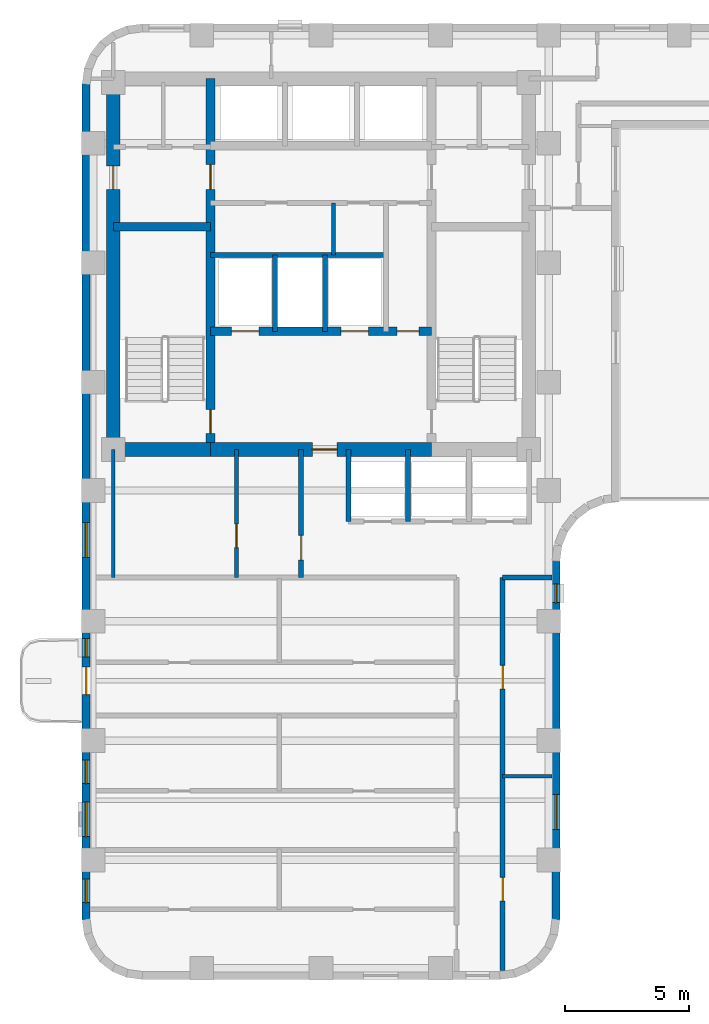
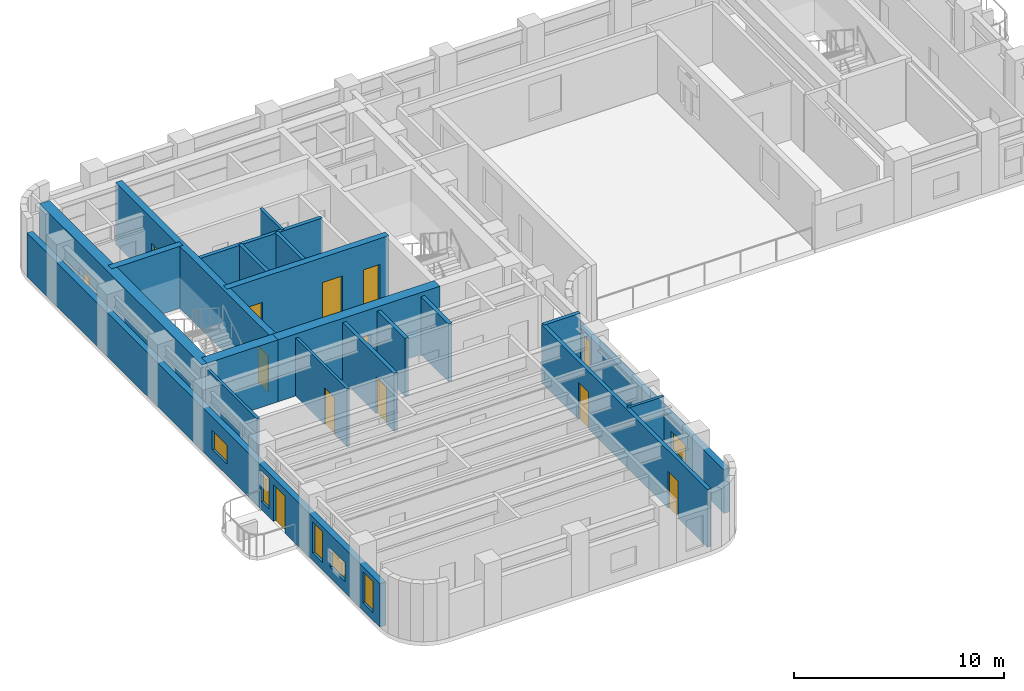
# One storey, part 3 of 9: 20 walls, 12 doors, 7 windows, 19 openings.
"""IFC4 building model written with IfcOpenShell, lengths in metres."""

from ifc_helpers import new_model, si_unit, direction, frame, frame_2d, origin, place, context, subcontext, project, spatial, rectangle, extrude, material, layer, layer_set, type_object, element, fill, save


model = new_model("IFC4")

# Units and contexts
model_context = context("Model", 3, precision=1e-05, world=origin(), true_north=direction((0.0, 1.0)))
body_context = subcontext(model_context, "Body", "Model", "MODEL_VIEW")
ifc_project = project(units=[si_unit("LENGTHUNIT", "METRE"), si_unit("AREAUNIT", "SQUARE_METRE"), si_unit("VOLUMEUNIT", "CUBIC_METRE"), si_unit("PLANEANGLEUNIT", "RADIAN"), si_unit("MASSUNIT", "GRAM", prefix="KILO")], contexts=[model_context])

# Site, building, storey
site_placement = place(None, origin())
site = spatial("IfcSite", under=ifc_project, at=site_placement, CompositionType="ELEMENT")
building_placement = place(site_placement, origin())
building = spatial("IfcBuilding", under=site, at=building_placement, Name="Orvandelia Arch Residences", CompositionType="ELEMENT")
storey_placement = place(building_placement, frame((0.0, 0.0, 154.0)))
storey = spatial("IfcBuildingStorey", under=building, at=storey_placement, Name="L40", CompositionType="ELEMENT", Elevation=154.0)

# Wall, openings, doors
ifc_material_1 = material(Name="Concrete C50/60", Category="concrete")
ifc_layer_1 = layer(ifc_material_1, 0.35009765625, Name="Concrete C50/60", Category="concrete")
ifc_layer_set_1 = layer_set([ifc_layer_1], Name="Concrete C50/60")
wall_type_1 = type_object("IfcWallType", Name="WL-CORE-350", PredefinedType="SHEAR", material=ifc_layer_set_1)
wall_1_placement = place(storey_placement, frame((9.9599609375, 30.89990234375, 0.0), z_axis=(0.0, 0.0, 1.0), x_axis=(0.0, 1.0, 0.0)))
wall_1 = element("IfcWall", 1, at=wall_1_placement, inside=storey, type_object=wall_type_1, Name="Core Shear Wall L40-WEB1", PredefinedType="SHEAR", context=body_context, shape_type="SweptSolid", body=[
    extrude(rectangle(XDim=14.900146484375, YDim=0.35009765625, at=frame_2d((7.4501953125, 0.0))), origin(), (0.0, 0.0, 1.0), 3.60009765625),
])
opening_1_placement = place(wall_1_placement, frame((0.64990234375, 0.0, 0.0)))
opening_1 = element("IfcOpeningElement", 2, at=opening_1_placement, cuts=wall_1, Name="Opening D7", PredefinedType="OPENING", context=body_context, shape_type="SweptSolid", body=[
    extrude(rectangle(XDim=0.949951171875, YDim=2.10009765625, at=frame_2d((0.47509765625, 1.050048828125))), frame((0.0, 0.18505859375, 0.0), z_axis=(0.0, -1.0, 0.0), x_axis=(1.0, 0.0, 0.0)), (0.0, 0.0, 1.0), 0.3701171875),
])
opening_2_placement = place(wall_1_placement, frame((10.449951171875, 0.0, 0.0)))
opening_2 = element("IfcOpeningElement", 3, at=opening_2_placement, cuts=wall_1, Name="Opening D6", PredefinedType="OPENING", context=body_context, shape_type="SweptSolid", body=[
    extrude(rectangle(XDim=1.0, YDim=2.14990234375, at=frame_2d((0.5, 1.074951171875))), frame((0.0, 0.18505859375, 0.0), z_axis=(0.0, -1.0, 0.0), x_axis=(1.0, 0.0, 0.0)), (0.0, 0.0, 1.0), 0.3701171875),
])
ifc_material_2 = material(Name="Smokeproof Painted Steel Fire Door", Category="steel")
door_type_1 = type_object("IfcDoorType", Name="DR-FD60-1000", OperationType="NOTDEFINED", PredefinedType="DOOR", material=ifc_material_2)
door_1_placement = place(opening_2_placement, origin())
door_1 = element("IfcDoor", 4, at=door_1_placement, inside=storey, type_object=door_type_1, Name="High-Rise Lift Hall West Vestibule Door L40", OperationType="SINGLE_SWING_LEFT", OverallHeight=2.14990234375, OverallWidth=1.0, PredefinedType="DOOR", context=body_context, shape_type="SweptSolid", body=[
    extrude(rectangle(XDim=1.0, YDim=2.14990234375, at=frame_2d((0.5, 1.074951171875))), frame((0.0, 0.02490234375, 0.0), z_axis=(0.0, -1.0, 0.0), x_axis=(1.0, 0.0, 0.0)), (0.0, 0.0, 1.0), 0.050048828125),
])
fill(opening_2, door_1)
ifc_material_3 = material(Name="Pressurised Stairwell Fire Door")
door_type_2 = type_object("IfcDoorType", Name="DR-STAIR-950", OperationType="NOTDEFINED", PredefinedType="DOOR", material=ifc_material_3)
door_2_placement = place(opening_1_placement, origin())
door_2 = element("IfcDoor", 5, at=door_2_placement, inside=storey, type_object=door_type_2, Name="Stairwell ST-1 Fire Door L40", OperationType="SINGLE_SWING_LEFT", OverallHeight=2.10009765625, OverallWidth=0.949951171875, PredefinedType="DOOR", context=body_context, shape_type="SweptSolid", body=[
    extrude(rectangle(XDim=0.949951171875, YDim=2.10009765625, at=frame_2d((0.47509765625, 1.050048828125))), frame((0.0, 0.02490234375, 0.0), z_axis=(0.0, -1.0, 0.0), x_axis=(1.0, 0.0, 0.0)), (0.0, 0.0, 1.0), 0.050048828125),
])
fill(opening_1, door_2)

# Wall
wall_2_placement = place(storey_placement, frame((6.050048828125, 39.85009765625, 0.0), z_axis=(0.0, 0.0, 1.0), x_axis=(1.0, 0.0, 0.0)))
element("IfcWall", 6, at=wall_2_placement, inside=storey, type_object=wall_type_1, Name="Core Shear Wall L40-HZ1", PredefinedType="SHEAR", context=body_context, shape_type="SweptSolid", body=[
    extrude(rectangle(XDim=3.909912109375, YDim=0.35009765625, at=frame_2d((1.955078125, 0.0))), origin(), (0.0, 0.0, 1.0), 3.60009765625),
])

# Wall, openings, doors
wall_3_placement = place(storey_placement, frame((9.9599609375, 35.64990234375, 0.0), z_axis=(0.0, 0.0, 1.0), x_axis=(1.0, 0.0, 0.0)))
wall_3 = element("IfcWall", 7, at=wall_3_placement, inside=storey, type_object=wall_type_1, Name="Core Shear Wall L40-HZ3", PredefinedType="SHEAR", context=body_context, shape_type="SweptSolid", body=[
    extrude(rectangle(XDim=8.880126953125, YDim=0.35009765625, at=frame_2d((4.43994140625, 0.0))), origin(), (0.0, 0.0, 1.0), 3.60009765625),
])
opening_3_placement = place(wall_3_placement, frame((0.840087890625, 0.0, 0.0)))
opening_3 = element("IfcOpeningElement", 8, at=opening_3_placement, cuts=wall_3, Name="Opening FLD", PredefinedType="OPENING", context=body_context, shape_type="SweptSolid", body=[
    extrude(rectangle(XDim=1.10009765625, YDim=2.14990234375, at=frame_2d((0.550048828125, 1.074951171875))), frame((0.0, 0.18505859375, 0.0), z_axis=(0.0, -1.0, 0.0), x_axis=(1.0, 0.0, 0.0)), (0.0, 0.0, 1.0), 0.3701171875),
])
opening_4_placement = place(wall_3_placement, frame((5.239990234375, 0.0, 0.0)))
opening_4 = element("IfcOpeningElement", 9, at=opening_4_placement, cuts=wall_3, Name="Opening FLD", PredefinedType="OPENING", context=body_context, shape_type="SweptSolid", body=[
    extrude(rectangle(XDim=1.10009765625, YDim=2.14990234375, at=frame_2d((0.550048828125, 1.074951171875))), frame((0.0, 0.18505859375, 0.0), z_axis=(0.0, -1.0, 0.0), x_axis=(1.0, 0.0, 0.0)), (0.0, 0.0, 1.0), 0.3701171875),
])
opening_5_placement = place(wall_3_placement, frame((7.5, 0.0, 0.0)))
opening_5 = element("IfcOpeningElement", 10, at=opening_5_placement, cuts=wall_3, Name="Opening D5", PredefinedType="OPENING", context=body_context, shape_type="SweptSolid", body=[
    extrude(rectangle(XDim=0.8798828125, YDim=2.10009765625, at=frame_2d((0.43994140625, 1.050048828125))), frame((0.0, 0.18505859375, 0.0), z_axis=(0.0, -1.0, 0.0), x_axis=(1.0, 0.0, 0.0)), (0.0, 0.0, 1.0), 0.3701171875),
])
ifc_material_4 = material(Name="Firefighting Lift Stainless Sliding Door")
door_type_3 = type_object("IfcDoorType", Name="DR-FLFT-1100", OperationType="NOTDEFINED", PredefinedType="DOOR", material=ifc_material_4)
door_3_placement = place(opening_3_placement, origin())
door_3 = element("IfcDoor", 11, at=door_3_placement, inside=storey, type_object=door_type_3, Name="Firefighting Lift Landing Door FLD-FL1-L40", OperationType="SLIDING_TO_LEFT", OverallHeight=2.14990234375, OverallWidth=1.10009765625, PredefinedType="DOOR", context=body_context, shape_type="SweptSolid", body=[
    extrude(rectangle(XDim=1.10009765625, YDim=2.14990234375, at=frame_2d((0.550048828125, 1.074951171875))), frame((0.0, 0.02490234375, 0.0), z_axis=(0.0, -1.0, 0.0), x_axis=(1.0, 0.0, 0.0)), (0.0, 0.0, 1.0), 0.050048828125),
])
fill(opening_3, door_3)
door_4_placement = place(opening_4_placement, origin())
door_4 = element("IfcDoor", 12, at=door_4_placement, inside=storey, type_object=door_type_3, Name="Firefighting Lift Landing Door FLD-FL2-L40", OperationType="SLIDING_TO_RIGHT", OverallHeight=2.14990234375, OverallWidth=1.10009765625, PredefinedType="DOOR", context=body_context, shape_type="SweptSolid", body=[
    extrude(rectangle(XDim=1.10009765625, YDim=2.14990234375, at=frame_2d((0.550048828125, 1.074951171875))), frame((0.0, 0.02490234375, 0.0), z_axis=(0.0, -1.0, 0.0), x_axis=(1.0, 0.0, 0.0)), (0.0, 0.0, 1.0), 0.050048828125),
])
fill(opening_4, door_4)
ifc_material_5 = material(Name="Painted Galvanised Steel Service Door", Category="steel")
door_type_4 = type_object("IfcDoorType", Name="DR-SRV-880", OperationType="NOTDEFINED", PredefinedType="DOOR", material=ifc_material_5)
door_5_placement = place(opening_5_placement, origin())
door_5 = element("IfcDoor", 13, at=door_5_placement, inside=storey, type_object=door_type_4, Name="Core Stairway Passage South Fire Door L40", OperationType="SINGLE_SWING_LEFT", OverallHeight=2.10009765625, OverallWidth=0.8798828125, PredefinedType="DOOR", context=body_context, shape_type="SweptSolid", body=[
    extrude(rectangle(XDim=0.8798828125, YDim=2.10009765625, at=frame_2d((0.43994140625, 1.050048828125))), frame((0.0, 0.02490234375, 0.0), z_axis=(0.0, -1.0, 0.0), x_axis=(1.0, 0.0, 0.0)), (0.0, 0.0, 1.0), 0.050048828125),
])
fill(opening_5, door_5)

# Wall, opening, door
ifc_material_6 = material(Name="Concrete C60/75", Category="concrete")
ifc_layer_2 = layer(ifc_material_6, 0.550048828125, Name="Concrete C60/75", Category="concrete")
ifc_layer_set_2 = layer_set([ifc_layer_2], Name="Concrete C60/75")
wall_type_2 = type_object("IfcWallType", Name="WL-CORE-550", PredefinedType="SHEAR", material=ifc_layer_set_2)
wall_4_placement = place(storey_placement, frame((6.050048828125, 30.625, 0.0), z_axis=(0.0, 0.0, 1.0), x_axis=(0.0, 1.0, 0.0)))
wall_4 = element("IfcWall", 14, at=wall_4_placement, inside=storey, type_object=wall_type_2, Name="Core Shear Wall L40-W", PredefinedType="SHEAR", context=body_context, shape_type="SweptSolid", body=[
    extrude(rectangle(XDim=15.449951171875, YDim=0.550048828125, at=frame_2d((7.72509765625, 0.0))), origin(), (0.0, 0.0, 1.0), 3.60009765625),
])
opening_6_placement = place(wall_4_placement, frame((10.72509765625, 0.0, 0.0)))
opening_6 = element("IfcOpeningElement", 15, at=opening_6_placement, cuts=wall_4, Name="Opening D2", PredefinedType="OPENING", context=body_context, shape_type="SweptSolid", body=[
    extrude(rectangle(XDim=0.949951171875, YDim=2.14990234375, at=frame_2d((0.47509765625, 1.074951171875))), frame((0.0, 0.28515625, 0.0), z_axis=(0.0, -1.0, 0.0), x_axis=(1.0, 0.0, 0.0)), (0.0, 0.0, 1.0), 0.570068359375),
])
ifc_material_7 = material(Name="Solid-Core Timber Interior Fire Door", Category="wood")
door_type_5 = type_object("IfcDoorType", Name="DR-APT-950", OperationType="NOTDEFINED", PredefinedType="DOOR", material=ifc_material_7)
door_6_placement = place(opening_6_placement, origin())
door_6 = element("IfcDoor", 16, at=door_6_placement, inside=storey, type_object=door_type_5, Name="West Viewing Study Door L40", OperationType="SINGLE_SWING_RIGHT", OverallHeight=2.14990234375, OverallWidth=0.949951171875, PredefinedType="DOOR", context=body_context, shape_type="SweptSolid", body=[
    extrude(rectangle(XDim=0.949951171875, YDim=2.14990234375, at=frame_2d((0.47509765625, 1.074951171875))), frame((0.0, 0.02490234375, 0.0), z_axis=(0.0, -1.0, 0.0), x_axis=(1.0, 0.0, 0.0)), (0.0, 0.0, 1.0), 0.050048828125),
])
fill(opening_6, door_6)

# Wall
wall_5_placement = place(storey_placement, frame((6.050048828125, 30.89990234375, 0.0), z_axis=(0.0, 0.0, 1.0), x_axis=(1.0, 0.0, 0.0)))
element("IfcWall", 17, at=wall_5_placement, inside=storey, type_object=wall_type_2, Name="Core Shear Wall L40-SW", PredefinedType="SHEAR", context=body_context, shape_type="SweptSolid", body=[
    extrude(rectangle(XDim=3.909912109375, YDim=0.550048828125, at=frame_2d((1.955078125, 0.0))), origin(), (0.0, 0.0, 1.0), 3.60009765625),
])

# Wall, opening, door
wall_6_placement = place(storey_placement, frame((9.9599609375, 30.89990234375, 0.0), z_axis=(0.0, 0.0, 1.0), x_axis=(1.0, 0.0, 0.0)))
wall_6 = element("IfcWall", 18, at=wall_6_placement, inside=storey, type_object=wall_type_2, Name="Core Shear Wall L40-SM", PredefinedType="SHEAR", context=body_context, shape_type="SweptSolid", body=[
    extrude(rectangle(XDim=8.880126953125, YDim=0.550048828125, at=frame_2d((4.43994140625, 0.0))), origin(), (0.0, 0.0, 1.0), 3.60009765625),
])
opening_7_placement = place(wall_6_placement, frame((4.090087890625, 0.0, 0.0)))
opening_7 = element("IfcOpeningElement", 19, at=opening_7_placement, cuts=wall_6, Name="Opening D6", PredefinedType="OPENING", context=body_context, shape_type="SweptSolid", body=[
    extrude(rectangle(XDim=1.0, YDim=2.14990234375, at=frame_2d((0.5, 1.074951171875))), frame((0.0, 0.28515625, 0.0), z_axis=(0.0, -1.0, 0.0), x_axis=(1.0, 0.0, 0.0)), (0.0, 0.0, 1.0), 0.570068359375),
])
door_7_placement = place(opening_7_placement, origin())
door_7 = element("IfcDoor", 20, at=door_7_placement, inside=storey, type_object=door_type_1, Name="Firefighting Lobby Smokeproof Door L40", OperationType="SINGLE_SWING_LEFT", OverallHeight=2.14990234375, OverallWidth=1.0, PredefinedType="DOOR", context=body_context, shape_type="SweptSolid", body=[
    extrude(rectangle(XDim=1.0, YDim=2.14990234375, at=frame_2d((0.5, 1.074951171875))), frame((0.0, 0.02490234375, 0.0), z_axis=(0.0, -1.0, 0.0), x_axis=(1.0, 0.0, 0.0)), (0.0, 0.0, 1.0), 0.050048828125),
])
fill(opening_7, door_7)

# Wall, openings, doors
ifc_material_8 = material(Name="Fire-Rated Corridor Partition")
ifc_layer_3 = layer(ifc_material_8, 0.199951171875, Name="Fire-Rated Corridor Partition")
ifc_layer_set_3 = layer_set([ifc_layer_3], Name="Fire-Rated Corridor Partition")
wall_type_3 = type_object("IfcWallType", Name="WL-CORR-200", PredefinedType="PARTITIONING", material=ifc_layer_set_3)
wall_7_placement = place(storey_placement, frame((21.699951171875, 9.9599609375, 0.0), z_axis=(0.0, 0.0, 1.0), x_axis=(0.0, 1.0, 0.0)))
wall_7 = element("IfcWall", 21, at=wall_7_placement, inside=storey, type_object=wall_type_3, Name="Interior Partition Wall WL-L40-WC-E", PredefinedType="PARTITIONING", context=body_context, shape_type="SweptSolid", body=[
    extrude(rectangle(XDim=15.7900390625, YDim=0.199951171875, at=frame_2d((7.89501953125, 0.0))), origin(), (0.0, 0.0, 1.0), 3.360107421875),
])
opening_8_placement = place(wall_7_placement, frame((2.7900390625, 0.0, 0.0)))
opening_8 = element("IfcOpeningElement", 22, at=opening_8_placement, cuts=wall_7, Name="Opening D2", PredefinedType="OPENING", context=body_context, shape_type="SweptSolid", body=[
    extrude(rectangle(XDim=0.949951171875, YDim=2.14990234375, at=frame_2d((0.47509765625, 1.074951171875))), frame((0.0, 0.10986328125, 0.0), z_axis=(0.0, -1.0, 0.0), x_axis=(1.0, 0.0, 0.0)), (0.0, 0.0, 1.0), 0.219970703125),
])
opening_9_placement = place(wall_7_placement, frame((11.31005859375, 0.0, 0.0)))
opening_9 = element("IfcOpeningElement", 23, at=opening_9_placement, cuts=wall_7, Name="Opening D2", PredefinedType="OPENING", context=body_context, shape_type="SweptSolid", body=[
    extrude(rectangle(XDim=0.949951171875, YDim=2.14990234375, at=frame_2d((0.47509765625, 1.074951171875))), frame((0.0, 0.10986328125, 0.0), z_axis=(0.0, -1.0, 0.0), x_axis=(1.0, 0.0, 0.0)), (0.0, 0.0, 1.0), 0.219970703125),
])
door_8_placement = place(opening_8_placement, origin())
door_8 = element("IfcDoor", 24, at=door_8_placement, inside=storey, type_object=door_type_5, Name="DR-L40-EGALV1", OperationType="SINGLE_SWING_LEFT", OverallHeight=2.14990234375, OverallWidth=0.949951171875, PredefinedType="DOOR", context=body_context, shape_type="SweptSolid", body=[
    extrude(rectangle(XDim=0.949951171875, YDim=2.14990234375, at=frame_2d((0.47509765625, 1.074951171875))), frame((0.0, 0.02490234375, 0.0), z_axis=(0.0, -1.0, 0.0), x_axis=(1.0, 0.0, 0.0)), (0.0, 0.0, 1.0), 0.050048828125),
])
fill(opening_8, door_8)
door_9_placement = place(opening_9_placement, origin())
door_9 = element("IfcDoor", 25, at=door_9_placement, inside=storey, type_object=door_type_5, Name="DR-L40-EGLDY1", OperationType="SINGLE_SWING_RIGHT", OverallHeight=2.14990234375, OverallWidth=0.949951171875, PredefinedType="DOOR", context=body_context, shape_type="SweptSolid", body=[
    extrude(rectangle(XDim=0.949951171875, YDim=2.14990234375, at=frame_2d((0.47509765625, 1.074951171875))), frame((0.0, 0.02490234375, 0.0), z_axis=(0.0, -1.0, 0.0), x_axis=(1.0, 0.0, 0.0)), (0.0, 0.0, 1.0), 0.050048828125),
])
fill(opening_9, door_9)

# Wall
wall_8_placement = place(storey_placement, frame((21.699951171875, 25.75, 0.0), z_axis=(0.0, 0.0, 1.0), x_axis=(1.0, 0.0, 0.0)))
element("IfcWall", 26, at=wall_8_placement, inside=storey, type_object=wall_type_3, Name="Interior Partition Wall WL-L40-WCLS-E", PredefinedType="PARTITIONING", context=body_context, shape_type="SweptSolid", body=[
    extrude(rectangle(XDim=1.97998046875, YDim=0.199951171875, at=frame_2d((0.989990234375, 0.0))), origin(), (0.0, 0.0, 1.0), 3.360107421875),
])

# Wall, openings, windows
ifc_material_9 = material(Name="Precast concrete C40/50", Category="concrete")
ifc_layer_4 = layer(ifc_material_9, 0.320068359375, Name="Precast concrete C40/50", Category="concrete")
ifc_layer_set_4 = layer_set([ifc_layer_4], Name="Precast concrete C40/50")
wall_type_4 = type_object("IfcWallType", Name="WL-EXT-STONE-320", PredefinedType="STANDARD", material=ifc_layer_set_4)
wall_9_placement = place(storey_placement, frame((23.840087890625, 26.39990234375, 0.0), z_axis=(0.0, 0.0, 1.0), x_axis=(0.0, -1.0, 0.0)))
wall_9 = element("IfcWall", 27, at=wall_9_placement, inside=storey, type_object=wall_type_4, Name="Coral-Limestone Precast Facade Wall L40-031", PredefinedType="STANDARD", context=body_context, shape_type="SweptSolid", body=[
    extrude(rectangle(XDim=14.39990234375, YDim=0.320068359375, at=frame_2d((7.199951171875, 0.0))), origin(), (0.0, 0.0, 1.0), 2.5400390625),
])
opening_10_placement = place(wall_9_placement, frame((9.37255859375, 0.0, 0.64990234375)))
opening_10 = element("IfcOpeningElement", 28, at=opening_10_placement, cuts=wall_9, Name="Opening W10", PredefinedType="OPENING", context=body_context, shape_type="SweptSolid", body=[
    extrude(rectangle(XDim=1.39990234375, YDim=1.10009765625, at=frame_2d((0.699951171875, 0.550048828125))), frame((0.0, 0.169921875, 0.0), z_axis=(0.0, -1.0, 0.0), x_axis=(1.0, 0.0, 0.0)), (0.0, 0.0, 1.0), 0.340087890625),
])
opening_11_placement = place(wall_9_placement, frame((0.902587890625, 0.0, 0.449951171875)))
opening_11 = element("IfcOpeningElement", 29, at=opening_11_placement, cuts=wall_9, Name="Opening W11", PredefinedType="OPENING", context=body_context, shape_type="SweptSolid", body=[
    extrude(rectangle(XDim=0.75, YDim=1.800048828125, at=frame_2d((0.375, 0.89990234375))), frame((0.0, 0.169921875, 0.0), z_axis=(0.0, -1.0, 0.0), x_axis=(1.0, 0.0, 0.0)), (0.0, 0.0, 1.0), 0.340087890625),
])
ifc_material_10 = material(Name="Tempered Low-E Insulated Glazing", Category="glass")
window_type_1 = type_object("IfcWindowType", Name="WIN-BED-0750x1800", PartitioningType="SINGLE_PANEL", PredefinedType="WINDOW", material=ifc_material_10)
window_1_placement = place(opening_11_placement, origin())
window_1 = element("IfcWindow", 30, at=window_1_placement, inside=storey, type_object=window_type_1, Name="Recessed Punched Window L40-015", OverallHeight=1.800048828125, OverallWidth=0.75, PartitioningType="SINGLE_PANEL", PredefinedType="WINDOW", context=body_context, shape_type="SweptSolid", body=[
    extrude(rectangle(XDim=0.75, YDim=1.800048828125, at=frame_2d((0.375, 0.89990234375))), frame((0.0, 0.030029296875, 0.0), z_axis=(0.0, -1.0, 0.0), x_axis=(1.0, 0.0, 0.0)), (0.0, 0.0, 1.0), 0.06005859375),
])
fill(opening_11, window_1)
window_type_2 = type_object("IfcWindowType", Name="WIN-CLR-1400x1100", PartitioningType="SINGLE_PANEL", PredefinedType="WINDOW", material=ifc_material_10)
window_2_placement = place(opening_10_placement, origin())
window_2 = element("IfcWindow", 31, at=window_2_placement, inside=storey, type_object=window_type_2, Name="Recessed Punched Window L40-014", OverallHeight=1.10009765625, OverallWidth=1.39990234375, PartitioningType="SINGLE_PANEL", PredefinedType="WINDOW", context=body_context, shape_type="SweptSolid", body=[
    extrude(rectangle(XDim=1.39990234375, YDim=1.10009765625, at=frame_2d((0.699951171875, 0.550048828125))), frame((0.0, 0.030029296875, 0.0), z_axis=(0.0, -1.0, 0.0), x_axis=(1.0, 0.0, 0.0)), (0.0, 0.0, 1.0), 0.06005859375),
])
fill(opening_10, window_2)

# Wall, openings, door, windows
wall_10_placement = place(storey_placement, frame((4.9599609375, 12.0, 0.0), z_axis=(0.0, 0.0, 1.0), x_axis=(0.0, 1.0, 0.0)))
wall_10 = element("IfcWall", 32, at=wall_10_placement, inside=storey, type_object=wall_type_4, Name="Coral-Limestone Precast Facade Wall L40-045", PredefinedType="STANDARD", context=body_context, shape_type="SweptSolid", body=[
    extrude(rectangle(XDim=33.60009765625, YDim=0.320068359375, at=frame_2d((16.800048828125, 0.0))), origin(), (0.0, 0.0, 1.0), 2.5400390625),
])
opening_12_placement = place(wall_10_placement, frame((9.050048828125, 0.0, 0.0)))
opening_12 = element("IfcOpeningElement", 33, at=opening_12_placement, cuts=wall_10, Name="Opening BD1", PredefinedType="OPENING", context=body_context, shape_type="SweptSolid", body=[
    extrude(rectangle(XDim=1.10009765625, YDim=2.14990234375, at=frame_2d((0.550048828125, 1.074951171875))), frame((0.0, 0.169921875, 0.0), z_axis=(0.0, -1.0, 0.0), x_axis=(1.0, 0.0, 0.0)), (0.0, 0.0, 1.0), 0.340087890625),
])
opening_13_placement = place(wall_10_placement, frame((3.33544921875, 0.0, 0.64990234375)))
opening_13 = element("IfcOpeningElement", 34, at=opening_13_placement, cuts=wall_10, Name="Opening W10", PredefinedType="OPENING", context=body_context, shape_type="SweptSolid", body=[
    extrude(rectangle(XDim=1.39990234375, YDim=1.10009765625, at=frame_2d((0.699951171875, 0.550048828125))), frame((0.0, 0.169921875, 0.0), z_axis=(0.0, -1.0, 0.0), x_axis=(1.0, 0.0, 0.0)), (0.0, 0.0, 1.0), 0.340087890625),
])
opening_14_placement = place(wall_10_placement, frame((0.6826171875, 0.0, 0.449951171875)))
opening_14 = element("IfcOpeningElement", 35, at=opening_14_placement, cuts=wall_10, Name="Opening W4", PredefinedType="OPENING", context=body_context, shape_type="SweptSolid", body=[
    extrude(rectangle(XDim=0.949951171875, YDim=1.800048828125, at=frame_2d((0.47509765625, 0.89990234375))), frame((0.0, 0.169921875, 0.0), z_axis=(0.0, -1.0, 0.0), x_axis=(1.0, 0.0, 0.0)), (0.0, 0.0, 1.0), 0.340087890625),
])
opening_15_placement = place(wall_10_placement, frame((5.465576171875, 0.0, 0.449951171875)))
opening_15 = element("IfcOpeningElement", 36, at=opening_15_placement, cuts=wall_10, Name="Opening W4", PredefinedType="OPENING", context=body_context, shape_type="SweptSolid", body=[
    extrude(rectangle(XDim=0.949951171875, YDim=1.800048828125, at=frame_2d((0.47509765625, 0.89990234375))), frame((0.0, 0.169921875, 0.0), z_axis=(0.0, -1.0, 0.0), x_axis=(1.0, 0.0, 0.0)), (0.0, 0.0, 1.0), 0.340087890625),
])
opening_16_placement = place(wall_10_placement, frame((10.547607421875, 0.0, 0.449951171875)))
opening_16 = element("IfcOpeningElement", 37, at=opening_16_placement, cuts=wall_10, Name="Opening W11", PredefinedType="OPENING", context=body_context, shape_type="SweptSolid", body=[
    extrude(rectangle(XDim=0.75, YDim=1.800048828125, at=frame_2d((0.375, 0.89990234375))), frame((0.0, 0.169921875, 0.0), z_axis=(0.0, -1.0, 0.0), x_axis=(1.0, 0.0, 0.0)), (0.0, 0.0, 1.0), 0.340087890625),
])
opening_17_placement = place(wall_10_placement, frame((14.5576171875, 0.0, 0.64990234375)))
opening_17 = element("IfcOpeningElement", 38, at=opening_17_placement, cuts=wall_10, Name="Opening W10", PredefinedType="OPENING", context=body_context, shape_type="SweptSolid", body=[
    extrude(rectangle(XDim=1.39990234375, YDim=1.10009765625, at=frame_2d((0.699951171875, 0.550048828125))), frame((0.0, 0.169921875, 0.0), z_axis=(0.0, -1.0, 0.0), x_axis=(1.0, 0.0, 0.0)), (0.0, 0.0, 1.0), 0.340087890625),
])
ifc_material_11 = material(Name="Thermally Broken Aluminium Glazed Door", Category="aluminium")
door_type_6 = type_object("IfcDoorType", Name="DR-BAL-GLAZ-1100", OperationType="NOTDEFINED", PredefinedType="DOOR", material=ifc_material_11)
door_10_placement = place(opening_12_placement, origin())
door_10 = element("IfcDoor", 39, at=door_10_placement, inside=storey, type_object=door_type_6, Name="Tree Balcony Glazed Door BAL-L40-W1", OperationType="SINGLE_SWING_RIGHT", OverallHeight=2.14990234375, OverallWidth=1.10009765625, PredefinedType="DOOR", context=body_context, shape_type="SweptSolid", body=[
    extrude(rectangle(XDim=1.10009765625, YDim=2.14990234375, at=frame_2d((0.550048828125, 1.074951171875))), frame((0.0, 0.02490234375, 0.0), z_axis=(0.0, -1.0, 0.0), x_axis=(1.0, 0.0, 0.0)), (0.0, 0.0, 1.0), 0.050048828125),
])
fill(opening_12, door_10)
window_3_placement = place(opening_16_placement, origin())
window_3 = element("IfcWindow", 40, at=window_3_placement, inside=storey, type_object=window_type_1, Name="Recessed Punched Window L40-021", OverallHeight=1.800048828125, OverallWidth=0.75, PartitioningType="SINGLE_PANEL", PredefinedType="WINDOW", context=body_context, shape_type="SweptSolid", body=[
    extrude(rectangle(XDim=0.75, YDim=1.800048828125, at=frame_2d((0.375, 0.89990234375))), frame((0.0, 0.030029296875, 0.0), z_axis=(0.0, -1.0, 0.0), x_axis=(1.0, 0.0, 0.0)), (0.0, 0.0, 1.0), 0.06005859375),
])
fill(opening_16, window_3)
window_4_placement = place(opening_13_placement, origin())
window_4 = element("IfcWindow", 41, at=window_4_placement, inside=storey, type_object=window_type_2, Name="Recessed Punched Window L40-018", OverallHeight=1.10009765625, OverallWidth=1.39990234375, PartitioningType="SINGLE_PANEL", PredefinedType="WINDOW", context=body_context, shape_type="SweptSolid", body=[
    extrude(rectangle(XDim=1.39990234375, YDim=1.10009765625, at=frame_2d((0.699951171875, 0.550048828125))), frame((0.0, 0.030029296875, 0.0), z_axis=(0.0, -1.0, 0.0), x_axis=(1.0, 0.0, 0.0)), (0.0, 0.0, 1.0), 0.06005859375),
])
fill(opening_13, window_4)
window_5_placement = place(opening_17_placement, origin())
window_5 = element("IfcWindow", 42, at=window_5_placement, inside=storey, type_object=window_type_2, Name="Recessed Punched Window L40-022", OverallHeight=1.10009765625, OverallWidth=1.39990234375, PartitioningType="SINGLE_PANEL", PredefinedType="WINDOW", context=body_context, shape_type="SweptSolid", body=[
    extrude(rectangle(XDim=1.39990234375, YDim=1.10009765625, at=frame_2d((0.699951171875, 0.550048828125))), frame((0.0, 0.030029296875, 0.0), z_axis=(0.0, -1.0, 0.0), x_axis=(1.0, 0.0, 0.0)), (0.0, 0.0, 1.0), 0.06005859375),
])
fill(opening_17, window_5)
window_type_3 = type_object("IfcWindowType", Name="WIN-RES-0950x1800", PartitioningType="SINGLE_PANEL", PredefinedType="WINDOW", material=ifc_material_10)
window_6_placement = place(opening_14_placement, origin())
window_6 = element("IfcWindow", 43, at=window_6_placement, inside=storey, type_object=window_type_3, Name="Recessed Punched Window L40-019", OverallHeight=1.800048828125, OverallWidth=0.949951171875, PartitioningType="SINGLE_PANEL", PredefinedType="WINDOW", context=body_context, shape_type="SweptSolid", body=[
    extrude(rectangle(XDim=0.949951171875, YDim=1.800048828125, at=frame_2d((0.47509765625, 0.89990234375))), frame((0.0, 0.030029296875, 0.0), z_axis=(0.0, -1.0, 0.0), x_axis=(1.0, 0.0, 0.0)), (0.0, 0.0, 1.0), 0.06005859375),
])
fill(opening_14, window_6)
window_7_placement = place(opening_15_placement, origin())
window_7 = element("IfcWindow", 44, at=window_7_placement, inside=storey, type_object=window_type_3, Name="Recessed Punched Window L40-020", OverallHeight=1.800048828125, OverallWidth=0.949951171875, PartitioningType="SINGLE_PANEL", PredefinedType="WINDOW", context=body_context, shape_type="SweptSolid", body=[
    extrude(rectangle(XDim=0.949951171875, YDim=1.800048828125, at=frame_2d((0.47509765625, 0.89990234375))), frame((0.0, 0.030029296875, 0.0), z_axis=(0.0, -1.0, 0.0), x_axis=(1.0, 0.0, 0.0)), (0.0, 0.0, 1.0), 0.06005859375),
])
fill(opening_15, window_7)

# Walls
ifc_material_12 = material(Name="Acoustic Gypsum Stud Partition")
ifc_layer_5 = layer(ifc_material_12, 0.14990234375, Name="Acoustic Gypsum Stud Partition")
ifc_layer_set_5 = layer_set([ifc_layer_5], Name="Acoustic Gypsum Stud Partition")
wall_type_5 = type_object("IfcWallType", Name="WL-PART-150", PredefinedType="PARTITIONING", material=ifc_layer_set_5)
wall_11_placement = place(storey_placement, frame((14.89990234375, 38.719970703125, 0.0), z_axis=(0.0, 0.0, 1.0), x_axis=(0.0, 1.0, 0.0)))
element("IfcWall", 45, at=wall_11_placement, inside=storey, type_object=wall_type_5, Name="Interior Partition Wall WL-L40-CSA-1", PredefinedType="PARTITIONING", context=body_context, shape_type="SweptSolid", body=[
    extrude(rectangle(XDim=2.080078125, YDim=0.14990234375, at=frame_2d((1.0400390625, 0.0))), origin(), (0.0, 0.0, 1.0), 3.360107421875),
])
wall_12_placement = place(storey_placement, frame((6.050048828125, 25.75, 0.0), z_axis=(0.0, 0.0, 1.0), x_axis=(0.0, 1.0, 0.0)))
element("IfcWall", 46, at=wall_12_placement, inside=storey, type_object=wall_type_5, Name="Interior Partition Wall WL-L40-B1REUSE-W", PredefinedType="PARTITIONING", context=body_context, shape_type="SweptSolid", body=[
    extrude(rectangle(XDim=5.14990234375, YDim=0.14990234375, at=frame_2d((2.574951171875, 0.0))), origin(), (0.0, 0.0, 1.0), 3.360107421875),
])

# Wall, opening, door
wall_13_placement = place(storey_placement, frame((11.0, 25.75, 0.0), z_axis=(0.0, 0.0, 1.0), x_axis=(0.0, 1.0, 0.0)))
wall_13 = element("IfcWall", 47, at=wall_13_placement, inside=storey, type_object=wall_type_5, Name="Interior Partition Wall WL-L40-B1R-M2", PredefinedType="PARTITIONING", context=body_context, shape_type="SweptSolid", body=[
    extrude(rectangle(XDim=5.14990234375, YDim=0.14990234375, at=frame_2d((2.574951171875, 0.0))), origin(), (0.0, 0.0, 1.0), 3.360107421875),
])
opening_18_placement = place(wall_13_placement, frame((1.199951171875, 0.0, 0.0)))
opening_18 = element("IfcOpeningElement", 48, at=opening_18_placement, cuts=wall_13, Name="Opening D2", PredefinedType="OPENING", context=body_context, shape_type="SweptSolid", body=[
    extrude(rectangle(XDim=0.949951171875, YDim=2.14990234375, at=frame_2d((0.47509765625, 1.074951171875))), frame((0.0, 0.0849609375, 0.0), z_axis=(0.0, -1.0, 0.0), x_axis=(1.0, 0.0, 0.0)), (0.0, 0.0, 1.0), 0.169921875),
])
door_11_placement = place(opening_18_placement, origin())
door_11 = element("IfcDoor", 49, at=door_11_placement, inside=storey, type_object=door_type_5, Name="DR-L40-B1RW", OperationType="SINGLE_SWING_LEFT", OverallHeight=2.14990234375, OverallWidth=0.949951171875, PredefinedType="DOOR", context=body_context, shape_type="SweptSolid", body=[
    extrude(rectangle(XDim=0.949951171875, YDim=2.14990234375, at=frame_2d((0.47509765625, 1.074951171875))), frame((0.0, 0.02490234375, 0.0), z_axis=(0.0, -1.0, 0.0), x_axis=(1.0, 0.0, 0.0)), (0.0, 0.0, 1.0), 0.050048828125),
])
fill(opening_18, door_11)

# Walls
wall_14_placement = place(storey_placement, frame((21.699951171875, 17.760009765625, 0.0), z_axis=(0.0, 0.0, 1.0), x_axis=(1.0, 0.0, 0.0)))
element("IfcWall", 50, at=wall_14_placement, inside=storey, type_object=wall_type_5, Name="Interior Partition Wall WL-L40-EGDIV-1", PredefinedType="PARTITIONING", context=body_context, shape_type="SweptSolid", body=[
    extrude(rectangle(XDim=1.97998046875, YDim=0.14990234375, at=frame_2d((0.989990234375, 0.0))), origin(), (0.0, 0.0, 1.0), 3.360107421875),
])
ifc_material_13 = material(Name="Fire-Rated Shaft Enclosure Wall")
ifc_layer_6 = layer(ifc_material_13, 0.199951171875, Name="Fire-Rated Shaft Enclosure Wall")
ifc_layer_set_6 = layer_set([ifc_layer_6], Name="Fire-Rated Shaft Enclosure Wall")
wall_type_6 = type_object("IfcWallType", Name="WL-SHAFT-200", PredefinedType="POLYGONAL", material=ifc_layer_set_6)
wall_15_placement = place(storey_placement, frame((9.9599609375, 38.719970703125, 0.0), z_axis=(0.0, 0.0, 1.0), x_axis=(1.0, 0.0, 0.0)))
element("IfcWall", 51, at=wall_15_placement, inside=storey, type_object=wall_type_6, Name="Interior Partition Wall WL-L40-FLN", PredefinedType="POLYGONAL", context=body_context, shape_type="SweptSolid", body=[
    extrude(rectangle(XDim=7.06005859375, YDim=0.199951171875, at=frame_2d((3.530029296875, 0.0))), origin(), (0.0, 0.0, 1.0), 3.360107421875),
])
for number, where, z_axis, x_axis, name in (
    (52, (12.550048828125, 35.64990234375, 0.0), (0.0, 0.0, 1.0), (0.0, 1.0, 0.0), "Interior Partition Wall WL-L40-FLM1"),
    (53, (14.550048828125, 35.64990234375, 0.0), (0.0, 0.0, 1.0), (0.0, 1.0, 0.0), "Interior Partition Wall WL-L40-FLM2"),
):
    element("IfcWall", number, at=place(storey_placement, frame(where, z_axis=z_axis, x_axis=x_axis)), inside=storey, type_object=wall_type_6, Name=name, PredefinedType="POLYGONAL", context=body_context, shape_type="SweptSolid", body=[
        extrude(rectangle(XDim=3.070068359375, YDim=0.199951171875, at=frame_2d((1.53515625, 0.0))), origin(), (0.0, 0.0, 1.0), 3.360107421875),
    ])

# Wall, opening, door
wall_16_placement = place(storey_placement, frame((13.60009765625, 25.75, 0.0), z_axis=(0.0, 0.0, 1.0), x_axis=(0.0, 1.0, 0.0)))
wall_16 = element("IfcWall", 54, at=wall_16_placement, inside=storey, type_object=wall_type_6, Name="Interior Partition Wall WL-L40-B1REUSE-E", PredefinedType="POLYGONAL", context=body_context, shape_type="SweptSolid", body=[
    extrude(rectangle(XDim=5.14990234375, YDim=0.199951171875, at=frame_2d((2.574951171875, 0.0))), origin(), (0.0, 0.0, 1.0), 3.360107421875),
])
opening_19_placement = place(wall_16_placement, frame((0.699951171875, 0.0, 0.0)))
opening_19 = element("IfcOpeningElement", 55, at=opening_19_placement, cuts=wall_16, Name="Opening D6", PredefinedType="OPENING", context=body_context, shape_type="SweptSolid", body=[
    extrude(rectangle(XDim=1.0, YDim=2.14990234375, at=frame_2d((0.5, 1.074951171875))), frame((0.0, 0.10986328125, 0.0), z_axis=(0.0, -1.0, 0.0), x_axis=(1.0, 0.0, 0.0)), (0.0, 0.0, 1.0), 0.219970703125),
])
door_12_placement = place(opening_19_placement, origin())
door_12 = element("IfcDoor", 56, at=door_12_placement, inside=storey, type_object=door_type_1, Name="DR-L40-B1RE", OperationType="SINGLE_SWING_LEFT", OverallHeight=2.14990234375, OverallWidth=1.0, PredefinedType="DOOR", context=body_context, shape_type="SweptSolid", body=[
    extrude(rectangle(XDim=1.0, YDim=2.14990234375, at=frame_2d((0.5, 1.074951171875))), frame((0.0, 0.02490234375, 0.0), z_axis=(0.0, -1.0, 0.0), x_axis=(1.0, 0.0, 0.0)), (0.0, 0.0, 1.0), 0.050048828125),
])
fill(opening_19, door_12)

# Walls
for number, where, z_axis, x_axis, name in (
    (57, (15.5, 28.0, 0.0), (0.0, 0.0, 1.0), (0.0, 1.0, 0.0), "Interior Partition Wall WL-L40-BNKM-W"),
    (58, (17.89990234375, 28.0, 0.0), (0.0, 0.0, 1.0), (0.0, 1.0, 0.0), "Interior Partition Wall WL-L40-BNKMD-1789"),
):
    element("IfcWall", number, at=place(storey_placement, frame(where, z_axis=z_axis, x_axis=x_axis)), inside=storey, type_object=wall_type_6, Name=name, PredefinedType="POLYGONAL", context=body_context, shape_type="SweptSolid", body=[
        extrude(rectangle(XDim=2.89990234375, YDim=0.199951171875, at=frame_2d((1.449951171875, 0.0))), origin(), (0.0, 0.0, 1.0), 3.360107421875),
    ])

save(model, "model.ifc")
